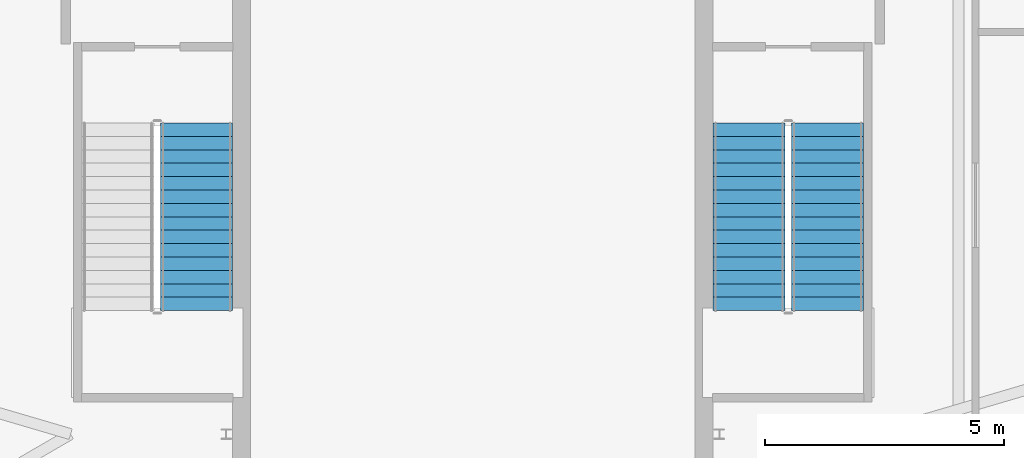
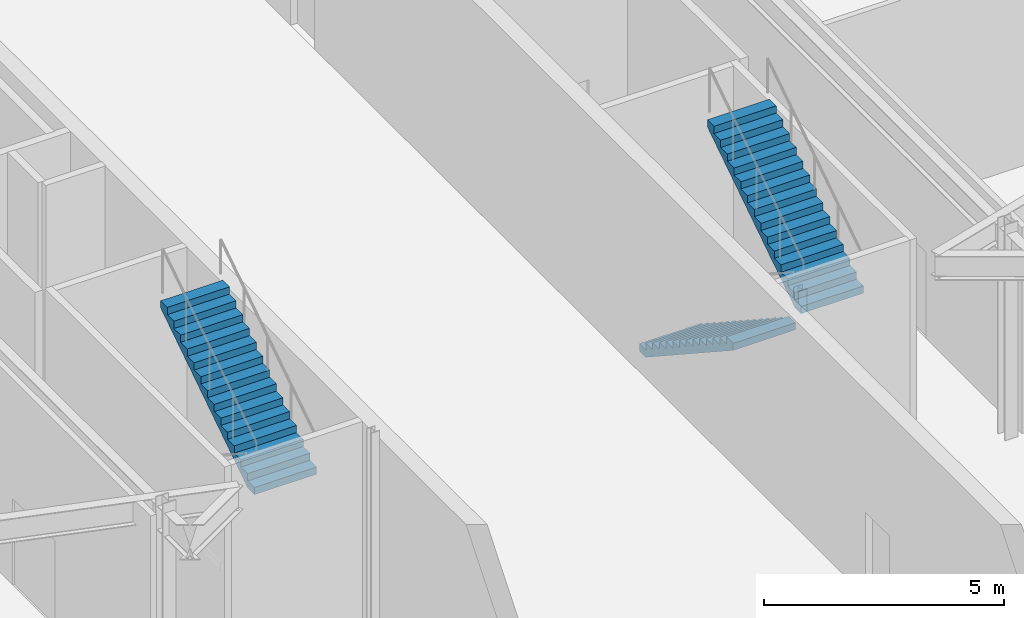
# One storey, part 13 of 16: 3 stair flights, 2 elements without a shape of their own.
"""IFC4 building model written with IfcOpenShell, lengths in metres."""

from ifc_helpers import new_model, si_unit, direction, frame, origin, place, context, subcontext, project, spatial, polyline, outline, extrude, material, type_object, element, aggregate, save


model = new_model("IFC4")

# Units and contexts
model_context = context("Model", 3, precision=1e-05, world=origin(), true_north=direction((0.0, 1.0)))
body_context = subcontext(model_context, "Body", "Model", "MODEL_VIEW")
ifc_project = project(units=[si_unit("LENGTHUNIT", "METRE"), si_unit("AREAUNIT", "SQUARE_METRE"), si_unit("VOLUMEUNIT", "CUBIC_METRE"), si_unit("PLANEANGLEUNIT", "RADIAN"), si_unit("MASSUNIT", "GRAM", prefix="KILO")], contexts=[model_context])

# Site, building, storey
site_placement = place(None, origin())
site = spatial("IfcSite", under=ifc_project, at=site_placement, CompositionType="ELEMENT")
building_placement = place(site_placement, origin())
building = spatial("IfcBuilding", under=site, at=building_placement, Name="Cairnveth Concourse Tower", CompositionType="ELEMENT")
storey_placement = place(building_placement, frame((0.0, 0.0, 324.5)))
storey = spatial("IfcBuildingStorey", under=building, at=storey_placement, Name="L89", CompositionType="ELEMENT", Elevation=324.5)

# Stair, stair flight
ifc_material = material(Name="Precast concrete N50 (50 MPa)", Category="concrete")
stair_type = type_object("IfcStairType", Name="CORE DOG-LEG FIRE STAIR 1500", PredefinedType="HALF_TURN_STAIR", material=ifc_material)
stair_1_placement = place(storey_placement, origin())
stair_1 = element("IfcStair", 1, at=stair_1_placement, inside=storey, type_object=stair_type, Name="L89 Fire-Isolated Stair ST-1", PredefinedType="HALF_TURN_STAIR")
stair_flight_type = type_object("IfcStairFlightType", Name="PRECAST CONCRETE STAIR FLIGHT 1500", PredefinedType="STRAIGHT", material=ifc_material)
stair_flight_1_placement = place(storey_placement, frame((46.22998046875, 33.179931640625, 2.75), z_axis=(0.0, 0.0, 1.0), x_axis=(0.0, 1.0, 0.0)))
stair_flight_1 = element("IfcStairFlight", 2, at=stair_flight_1_placement, type_object=stair_flight_type, Name="ST-1 flight 2", NumberOfRisers=15, NumberOfTreads=14, PredefinedType="STRAIGHT", RiserHeight=0.183333333, TreadLength=0.28, context=body_context, shape_type="SweptSolid", body=[
    extrude(outline(polyline([(0.0, 0.0), (0.0, 0.183349609375), (0.280029296875, 0.183349609375), (0.280029296875, 0.36669921875), (0.56005859375, 0.36669921875), (0.56005859375, 0.550048828125), (0.840087890625, 0.550048828125), (0.840087890625, 0.7333984375), (1.1201171875, 0.7333984375), (1.1201171875, 0.916748046875), (1.39990234375, 0.916748046875), (1.39990234375, 1.10009765625), (1.679931640625, 1.10009765625), (1.679931640625, 1.283447265625), (1.9599609375, 1.283447265625), (1.9599609375, 1.466552734375), (2.239990234375, 1.466552734375), (2.239990234375, 1.64990234375), (2.52001953125, 1.64990234375), (2.52001953125, 1.833251953125), (2.800048828125, 1.833251953125), (2.800048828125, 2.0166015625), (3.080078125, 2.0166015625), (3.080078125, 2.199951171875), (3.360107421875, 2.199951171875), (3.360107421875, 2.38330078125), (3.639892578125, 2.38330078125), (3.639892578125, 2.566650390625), (3.919921875, 2.566650390625), (3.919921875, 2.75), (3.919921875, 2.387451171875), (0.273681640625, 0.0), (0.0, 0.0)])), frame((0.0, 0.75, 0.0), z_axis=(0.0, -1.0, 0.0), x_axis=(1.0, 0.0, 0.0)), (0.0, 0.0, 1.0), 1.5),
])
aggregate(stair_1, [stair_flight_1])

# Stair, stair flights
stair_2_placement = place(storey_placement, origin())
stair_2 = element("IfcStair", 3, at=stair_2_placement, inside=storey, type_object=stair_type, Name="L89 Fire-Isolated Stair ST-2", PredefinedType="HALF_TURN_STAIR")
stair_flight_2_placement = place(storey_placement, frame((57.77001953125, 37.10009765625, 0.0), z_axis=(0.0, 0.0, 1.0), x_axis=(0.0, -1.0, 0.0)))
stair_flight_2 = element("IfcStairFlight", 4, at=stair_flight_2_placement, type_object=stair_flight_type, Name="ST-2 flight 1", NumberOfRisers=15, NumberOfTreads=14, PredefinedType="STRAIGHT", RiserHeight=0.183333333, TreadLength=0.28, context=body_context, shape_type="SweptSolid", body=[
    extrude(outline(polyline([(0.0, 0.0), (0.0, 0.183349609375), (0.280029296875, 0.183349609375), (0.280029296875, 0.36669921875), (0.56005859375, 0.36669921875), (0.56005859375, 0.550048828125), (0.840087890625, 0.550048828125), (0.840087890625, 0.7333984375), (1.1201171875, 0.7333984375), (1.1201171875, 0.916748046875), (1.39990234375, 0.916748046875), (1.39990234375, 1.10009765625), (1.679931640625, 1.10009765625), (1.679931640625, 1.283447265625), (1.9599609375, 1.283447265625), (1.9599609375, 1.466552734375), (2.239990234375, 1.466552734375), (2.239990234375, 1.64990234375), (2.52001953125, 1.64990234375), (2.52001953125, 1.833251953125), (2.800048828125, 1.833251953125), (2.800048828125, 2.0166015625), (3.080078125, 2.0166015625), (3.080078125, 2.199951171875), (3.360107421875, 2.199951171875), (3.360107421875, 2.38330078125), (3.639892578125, 2.38330078125), (3.639892578125, 2.566650390625), (3.919921875, 2.566650390625), (3.919921875, 2.75), (3.919921875, 2.387451171875), (0.273681640625, 0.0), (0.0, 0.0)])), frame((0.0, 0.75, 0.0), z_axis=(0.0, -1.0, 0.0), x_axis=(1.0, 0.0, 0.0)), (0.0, 0.0, 1.0), 1.5),
])
stair_flight_3_placement = place(storey_placement, frame((59.409912109375, 33.179931640625, 2.75), z_axis=(0.0, 0.0, 1.0), x_axis=(0.0, 1.0, 0.0)))
stair_flight_3 = element("IfcStairFlight", 5, at=stair_flight_3_placement, type_object=stair_flight_type, Name="ST-2 flight 2", NumberOfRisers=15, NumberOfTreads=14, PredefinedType="STRAIGHT", RiserHeight=0.183333333, TreadLength=0.28, context=body_context, shape_type="SweptSolid", body=[
    extrude(outline(polyline([(0.0, 0.0), (0.0, 0.183349609375), (0.280029296875, 0.183349609375), (0.280029296875, 0.36669921875), (0.56005859375, 0.36669921875), (0.56005859375, 0.550048828125), (0.840087890625, 0.550048828125), (0.840087890625, 0.7333984375), (1.1201171875, 0.7333984375), (1.1201171875, 0.916748046875), (1.39990234375, 0.916748046875), (1.39990234375, 1.10009765625), (1.679931640625, 1.10009765625), (1.679931640625, 1.283447265625), (1.9599609375, 1.283447265625), (1.9599609375, 1.466552734375), (2.239990234375, 1.466552734375), (2.239990234375, 1.64990234375), (2.52001953125, 1.64990234375), (2.52001953125, 1.833251953125), (2.800048828125, 1.833251953125), (2.800048828125, 2.0166015625), (3.080078125, 2.0166015625), (3.080078125, 2.199951171875), (3.360107421875, 2.199951171875), (3.360107421875, 2.38330078125), (3.639892578125, 2.38330078125), (3.639892578125, 2.566650390625), (3.919921875, 2.566650390625), (3.919921875, 2.75), (3.919921875, 2.387451171875), (0.273681640625, 0.0), (0.0, 0.0)])), frame((0.0, 0.75, 0.0), z_axis=(0.0, -1.0, 0.0), x_axis=(1.0, 0.0, 0.0)), (0.0, 0.0, 1.0), 1.5),
])
aggregate(stair_2, [stair_flight_2, stair_flight_3])

save(model, "model.ifc")
